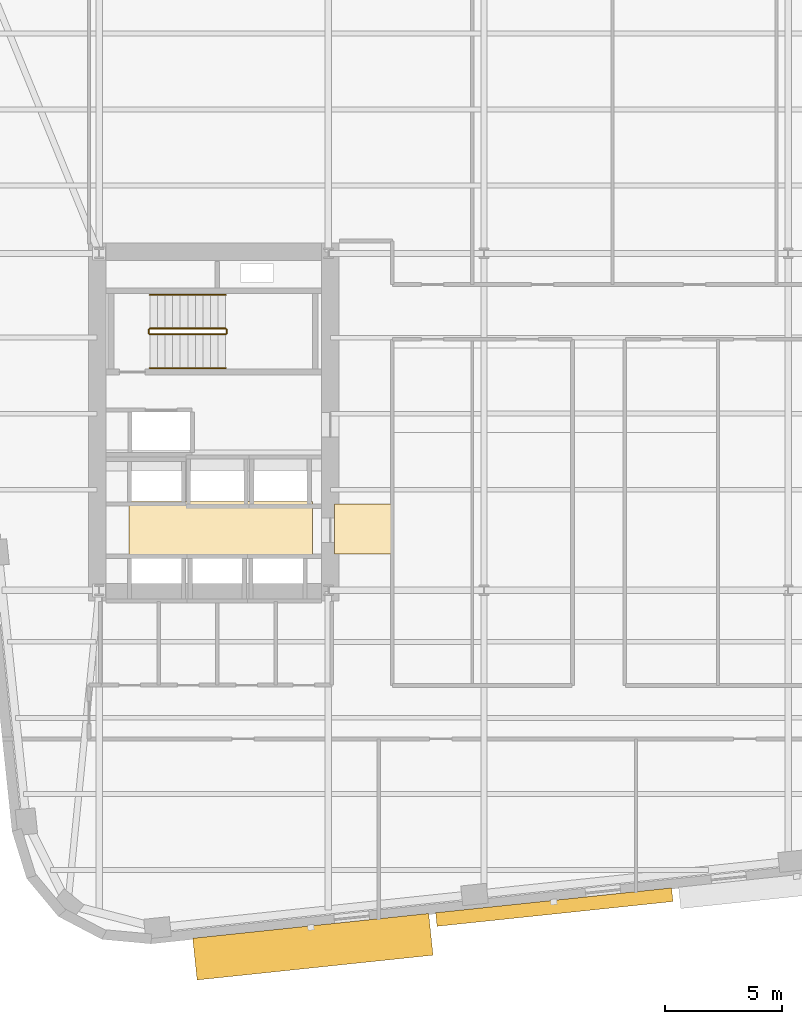
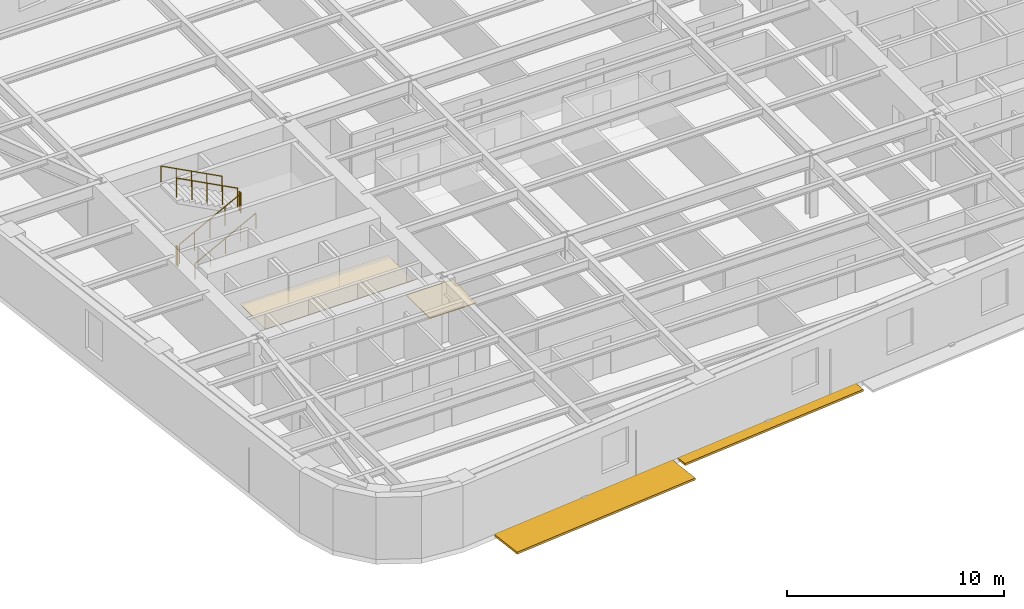
# One storey, part 9 of 13: 6 railings, 2 coverings, 2 shading devices.
"""IFC4 building model written with IfcOpenShell, lengths in metres."""

from ifc_helpers import new_model, si_unit, direction, frame, origin, origin_2d, place, context, subcontext, project, spatial, polyline, rectangle, circle, outline, extrude, material, layer, layer_set, type_object, element, save


model = new_model("IFC4")

# Units and contexts
model_context = context("Model", 3, precision=1e-05, world=origin(), true_north=direction((0.0, 1.0)))
body_context = subcontext(model_context, "Body", "Model", "MODEL_VIEW")
ifc_project = project(units=[si_unit("LENGTHUNIT", "METRE"), si_unit("AREAUNIT", "SQUARE_METRE"), si_unit("VOLUMEUNIT", "CUBIC_METRE"), si_unit("PLANEANGLEUNIT", "RADIAN"), si_unit("MASSUNIT", "GRAM", prefix="KILO")], contexts=[model_context])

# Site, building, storey
site_placement = place(None, origin())
site = spatial("IfcSite", under=ifc_project, at=site_placement, CompositionType="ELEMENT")
building_placement = place(site_placement, origin())
building = spatial("IfcBuilding", under=site, at=building_placement, Name="Kolvaren Arena Tower", CompositionType="ELEMENT")
storey_placement = place(building_placement, frame((0.0, 0.0, 114.699951171875)))
storey = spatial("IfcBuildingStorey", under=building, at=storey_placement, Name="L26", CompositionType="ELEMENT", Elevation=114.699951171875)

# Coverings
ifc_material_1 = material(Name="Moisture-resistant gypsum ceiling", Category="gypsum")
ifc_layer_1 = layer(ifc_material_1, 0.030029296875)
ifc_layer_set_1 = layer_set([ifc_layer_1], Name="Moisture-resistant gypsum ceiling")
covering_type_1 = type_object("IfcCoveringType", Name="CEIL-GYP-1", PredefinedType="CEILING", material=ifc_layer_set_1)
covering_1_placement = place(storey_placement, frame((0.0, 0.0, 2.52001953125)))
element("IfcCovering", 1, at=covering_1_placement, inside=storey, type_object=covering_type_1, Name="Suspended Ceiling (L26)", PredefinedType="CEILING", context=body_context, shape_type="SweptSolid", body=[
    extrude(outline(polyline([(15.820068359375, 20.89990234375), (15.820068359375, 23.239990234375), (23.679931640625, 23.239990234375), (23.679931640625, 20.89990234375), (15.820068359375, 20.89990234375)])), origin(), (0.0, 0.0, 1.0), 0.030029296875),
])
ifc_material_2 = material(Name="Raised access office floor finish", Category="aluminium")
ifc_layer_2 = layer(ifc_material_2, 0.044921875)
ifc_layer_set_2 = layer_set([ifc_layer_2], Name="Raised access office floor finish")
covering_type_2 = type_object("IfcCoveringType", Name="FLOR-RAF-1", PredefinedType="FLOORING", material=ifc_layer_set_2)
covering_2_placement = place(storey_placement, origin())
element("IfcCovering", 2, at=covering_2_placement, inside=storey, type_object=covering_type_2, Name="Floor Finish (L26)", PredefinedType="FLOORING", context=body_context, shape_type="SweptSolid", body=[
    extrude(outline(polyline([(24.60009765625, 21.0), (24.60009765625, 23.14990234375), (27.080078125, 23.14990234375), (27.080078125, 21.0), (24.60009765625, 21.0)])), origin(), (0.0, 0.0, 1.0), 0.045166015625),
])

# Railings
ifc_material_3 = material(Name="Painted galvanized steel", Category="steel")
railing_type_1 = type_object("IfcRailingType", Name="GUARD-ST-110", PredefinedType="GUARDRAIL", material=ifc_material_3)
railing_1_placement = place(storey_placement, frame((16.719970703125, 30.389892578125, 0.17041015625)))
element("IfcRailing", 3, at=railing_1_placement, inside=storey, type_object=railing_type_1, Name="L26 ST-W1 stair guard 1", PredefinedType="GUARDRAIL", context=body_context, shape_type="SweptSolid", body=[
    extrude(circle(Radius=0.02392578125, at=origin_2d()), frame((0.0, 0.0, 1.076171875), z_axis=(0.884993431791, 0.0, 0.465603506952), x_axis=(0.0, 1.0, 0.0)), (0.0, 0.0, 1.0), 3.6611328125),
    extrude(circle(Radius=0.02099609375, at=origin_2d()), origin(), (0.0, 0.0, 1.0), 1.052001953125),
    extrude(circle(Radius=0.02099609375, at=origin_2d()), frame((0.81005859375, 0.0, 0.42626953125)), (0.0, 0.0, 1.0), 1.052001953125),
    extrude(circle(Radius=0.02099609375, at=origin_2d()), frame((1.6201171875, 0.0, 0.852294921875)), (0.0, 0.0, 1.0), 1.052001953125),
    extrude(circle(Radius=0.02099609375, at=origin_2d()), frame((2.429931640625, 0.0, 1.2783203125)), (0.0, 0.0, 1.0), 1.052001953125),
    extrude(circle(Radius=0.02099609375, at=origin_2d()), frame((3.239990234375, 0.0, 1.70458984375)), (0.0, 0.0, 1.0), 1.052001953125),
])
railing_2_placement = place(storey_placement, frame((20.010009765625, 30.43994140625, 1.875)))
element("IfcRailing", 4, at=railing_2_placement, inside=storey, type_object=railing_type_1, Name="L26 ST-W1 stair guard 2", PredefinedType="GUARDRAIL", context=body_context, shape_type="SweptSolid", body=[
    extrude(circle(Radius=0.02392578125, at=origin_2d()), frame((0.0, 0.0, 1.076171875), z_axis=(0.0, 1.0, 0.0), x_axis=(-1.0, 0.0, 0.0)), (0.0, 0.0, 1.0), 0.150146484375),
    extrude(circle(Radius=0.02099609375, at=origin_2d()), origin(), (0.0, 0.0, 1.0), 1.052001953125),
    extrude(circle(Radius=0.02099609375, at=origin_2d()), frame((0.0, 0.150146484375, 0.0)), (0.0, 0.0, 1.0), 1.052001953125),
])
railing_3_placement = place(storey_placement, frame((19.9599609375, 30.639892578125, 2.04541015625)))
element("IfcRailing", 5, at=railing_3_placement, inside=storey, type_object=railing_type_1, Name="L26 ST-W1 stair guard 3", PredefinedType="GUARDRAIL", context=body_context, shape_type="SweptSolid", body=[
    extrude(circle(Radius=0.02392578125, at=origin_2d()), frame((0.0, 0.0, 1.076171875), z_axis=(-0.884993431791, 0.0, 0.465603506952), x_axis=(0.0, -1.0, 0.0)), (0.0, 0.0, 1.0), 3.6611328125),
    extrude(circle(Radius=0.02099609375, at=origin_2d()), origin(), (0.0, 0.0, 1.0), 1.052001953125),
    extrude(circle(Radius=0.02099609375, at=origin_2d()), frame((-0.81005859375, 0.0, 0.42626953125)), (0.0, 0.0, 1.0), 1.052001953125),
    extrude(circle(Radius=0.02099609375, at=origin_2d()), frame((-1.6201171875, 0.0, 0.852294921875)), (0.0, 0.0, 1.0), 1.052001953125),
    extrude(circle(Radius=0.02099609375, at=origin_2d()), frame((-2.429931640625, 0.0, 1.2783203125)), (0.0, 0.0, 1.0), 1.052001953125),
    extrude(circle(Radius=0.02099609375, at=origin_2d()), frame((-3.239990234375, 0.0, 1.70458984375)), (0.0, 0.0, 1.0), 1.052001953125),
])
railing_4_placement = place(storey_placement, frame((16.669921875, 30.43994140625, 0.0)))
element("IfcRailing", 6, at=railing_4_placement, inside=storey, type_object=railing_type_1, Name="L26 ST-W1 stair guard 4", PredefinedType="GUARDRAIL", context=body_context, shape_type="SweptSolid", body=[
    extrude(circle(Radius=0.02392578125, at=origin_2d()), frame((0.0, 0.0, 1.076171875), z_axis=(0.0, 1.0, 0.0), x_axis=(-1.0, 0.0, 0.0)), (0.0, 0.0, 1.0), 0.150146484375),
    extrude(circle(Radius=0.02099609375, at=origin_2d()), origin(), (0.0, 0.0, 1.0), 1.052001953125),
    extrude(circle(Radius=0.02099609375, at=origin_2d()), frame((0.0, 0.150146484375, 0.0)), (0.0, 0.0, 1.0), 1.052001953125),
])
ifc_material_4 = material(Name="Brushed stainless steel handrail", Category="steel")
railing_type_2 = type_object("IfcRailingType", Name="HRAIL-900", PredefinedType="HANDRAIL", material=ifc_material_4)
railing_5_placement = place(storey_placement, frame((16.719970703125, 28.949951171875, 0.17041015625)))
element("IfcRailing", 7, at=railing_5_placement, inside=storey, type_object=railing_type_2, Name="L26 ST-W1 stair handrail 1", PredefinedType="HANDRAIL", context=body_context, shape_type="SweptSolid", body=[
    extrude(circle(Radius=0.02392578125, at=origin_2d()), frame((0.0, 0.0, 0.8759765625), z_axis=(0.884993431791, 0.0, 0.465603506952), x_axis=(0.0, 1.0, 0.0)), (0.0, 0.0, 1.0), 3.6611328125),
    extrude(circle(Radius=0.02099609375, at=origin_2d()), origin(), (0.0, 0.0, 1.0), 0.851806640625),
    extrude(circle(Radius=0.02099609375, at=origin_2d()), frame((0.81005859375, 0.0, 0.42626953125)), (0.0, 0.0, 1.0), 0.851806640625),
    extrude(circle(Radius=0.02099609375, at=origin_2d()), frame((1.6201171875, 0.0, 0.852294921875)), (0.0, 0.0, 1.0), 0.851806640625),
    extrude(circle(Radius=0.02099609375, at=origin_2d()), frame((2.429931640625, 0.0, 1.2783203125)), (0.0, 0.0, 1.0), 0.851806640625),
    extrude(circle(Radius=0.02099609375, at=origin_2d()), frame((3.239990234375, 0.0, 1.70458984375)), (0.0, 0.0, 1.0), 0.851806640625),
])
railing_6_placement = place(storey_placement, frame((19.9599609375, 32.080078125, 2.04541015625)))
element("IfcRailing", 8, at=railing_6_placement, inside=storey, type_object=railing_type_2, Name="L26 ST-W1 stair handrail 2", PredefinedType="HANDRAIL", context=body_context, shape_type="SweptSolid", body=[
    extrude(circle(Radius=0.02392578125, at=origin_2d()), frame((0.0, 0.0, 0.8759765625), z_axis=(-0.884993431791, 0.0, 0.465603506952), x_axis=(0.0, -1.0, 0.0)), (0.0, 0.0, 1.0), 3.6611328125),
    extrude(circle(Radius=0.02099609375, at=origin_2d()), origin(), (0.0, 0.0, 1.0), 0.851806640625),
    extrude(circle(Radius=0.02099609375, at=origin_2d()), frame((-0.81005859375, 0.0, 0.42626953125)), (0.0, 0.0, 1.0), 0.851806640625),
    extrude(circle(Radius=0.02099609375, at=origin_2d()), frame((-1.6201171875, 0.0, 0.852294921875)), (0.0, 0.0, 1.0), 0.851806640625),
    extrude(circle(Radius=0.02099609375, at=origin_2d()), frame((-2.429931640625, 0.0, 1.2783203125)), (0.0, 0.0, 1.0), 0.851806640625),
    extrude(circle(Radius=0.02099609375, at=origin_2d()), frame((-3.239990234375, 0.0, 1.70458984375)), (0.0, 0.0, 1.0), 0.851806640625),
])

# Shading devices
ifc_material_5 = material(Name="Architectural precast GFRC and anodised aluminium sunshade", Category="concrete")
shading_device_type_1 = type_object("IfcShadingDeviceType", Name="SHAD-SINE-A", PredefinedType="USERDEFINED", material=ifc_material_5)
shading_device_1_placement = place(storey_placement, frame((34.00634765625, 5.909912109375, -0.139892578125), z_axis=(0.0, 0.0, 1.0), x_axis=(-0.994522077803, -0.104526727499, 0.0)))
element("IfcShadingDevice", 9, at=shading_device_1_placement, inside=storey, type_object=shading_device_type_1, Name="Sinusoidal Slab-Edge Sunshade Louvre (L26)", ObjectType="LOUVRE", PredefinedType="USERDEFINED", context=body_context, shape_type="SweptSolid", body=[
    extrude(rectangle(XDim=10.139892578125, YDim=0.5849609375, at=origin_2d()), origin(), (0.0, 0.0, 1.0), 0.1201171875),
])
shading_device_type_2 = type_object("IfcShadingDeviceType", Name="SHAD-SINE-B", PredefinedType="JALOUSIE", material=ifc_material_5)
shading_device_2_placement = place(storey_placement, frame((23.686767578125, 4.21728515625, -0.139892578125), z_axis=(0.0, 0.0, 1.0), x_axis=(-0.994522077803, -0.104526727499, 0.0)))
element("IfcShadingDevice", 10, at=shading_device_2_placement, inside=storey, type_object=shading_device_type_2, Name="Sinusoidal Slab-Edge Sunshade Louvre (L26)", PredefinedType="JALOUSIE", context=body_context, shape_type="SweptSolid", body=[
    extrude(rectangle(XDim=10.139892578125, YDim=1.7939453125, at=origin_2d()), origin(), (0.0, 0.0, 1.0), 0.1201171875),
])

save(model, "model.ifc")
